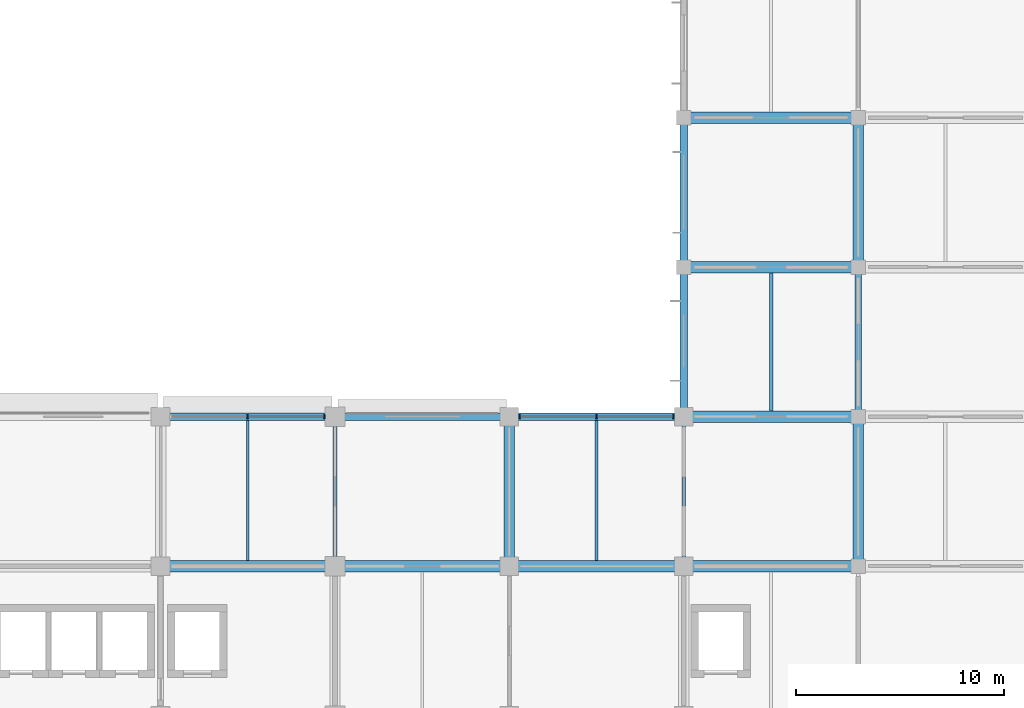
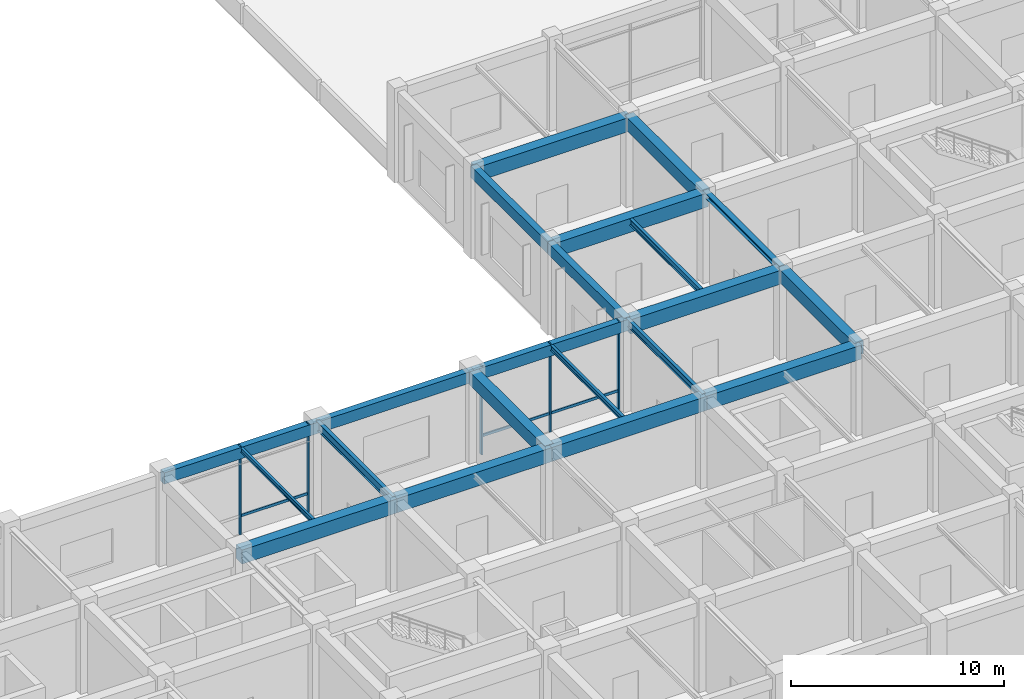
# One storey, part 11 of 41: 21 beams, 8 members, 2 elements without a shape of their own.
"""IFC4 building model written with IfcOpenShell, lengths in metres."""

from ifc_helpers import new_model, si_unit, derived_unit, direction, frame, origin, origin_2d, place, context, subcontext, project, spatial, rectangle, i_section, extrude, material, material_profile, profile_set, type_object, element, aggregate, save


model = new_model("IFC4")

# Units and contexts
model_context = context("Model", 3, precision=1e-05, world=origin(), true_north=direction((0.0, 1.0)))
body_context = subcontext(model_context, "Body", "Model", "MODEL_VIEW")
ifc_project = project(units=[si_unit("LENGTHUNIT", "METRE"), si_unit("AREAUNIT", "SQUARE_METRE"), si_unit("VOLUMEUNIT", "CUBIC_METRE"), si_unit("PLANEANGLEUNIT", "RADIAN"), si_unit("MASSUNIT", "GRAM", prefix="KILO"), derived_unit("THERMALTRANSMITTANCEUNIT", [(si_unit("MASSUNIT", "GRAM", prefix="KILO"), 1), (si_unit("TIMEUNIT", "SECOND"), -3), (si_unit("THERMODYNAMICTEMPERATUREUNIT", "KELVIN"), -1)])], contexts=[model_context])

# Site, building, storey
site_placement = place(None, origin())
site = spatial("IfcSite", under=ifc_project, at=site_placement, CompositionType="ELEMENT")
building_placement = place(site_placement, origin())
building = spatial("IfcBuilding", under=site, at=building_placement, Name="Veldstrom Oceanarium and Marine Research Institute", CompositionType="ELEMENT")
storey_placement = place(building_placement, frame((0.0, 0.0, 6.0)))
storey = spatial("IfcBuildingStorey", under=building, at=storey_placement, Name="L01", CompositionType="ELEMENT", Elevation=6.0)

# Curtain wall, members
ifc_material_1 = material(Name="Anodised Aluminium Framing", Category="aluminium")
curtain_wall_type = type_object("IfcCurtainWallType", Name="ARC-CW-CW02", PredefinedType="USERDEFINED", material=ifc_material_1)
curtain_wall_1_placement = place(storey_placement, origin())
curtain_wall_1 = element("IfcCurtainWall", 1, at=curtain_wall_1_placement, inside=storey, type_object=curtain_wall_type, Name="Curtain Wall CW02 CW-L01-011", ObjectType="Curtain wall", PredefinedType="USERDEFINED")
ifc_material_2 = material(Name="Anodised Aluminium Framing", Category="aluminium")
ifc_material_profile_1 = material_profile(ifc_material_2, rectangle(XDim=0.074951171875, YDim=0.179931640625, at=origin_2d()), Name="ALU-MUL-75x180")
ifc_profile_set_1 = profile_set([ifc_material_profile_1], Name="Anodised Aluminium Framing")
member_type_1 = type_object("IfcMemberType", Name="ARC-MUL-ML1", PredefinedType="MULLION", material=ifc_profile_set_1)
member_1_placement = place(storey_placement, frame((96.58740234375, 72.0, 0.0), z_axis=(0.0, 0.0, 1.0), x_axis=(1.0, 0.0, 0.0)))
member_1 = element("IfcMember", 2, at=member_1_placement, type_object=member_type_1, Name="Curtain Wall Mullion CW-L01-011-MUL-2", PredefinedType="MULLION", context=body_context, shape_type="SweptSolid", body=[
    extrude(rectangle(XDim=0.074951171875, YDim=0.179931640625, at=origin_2d()), origin(), (0.0, 0.0, 1.0), 5.074951171875),
])
member_2_placement = place(storey_placement, frame((100.284912109375, 72.0, 0.0), z_axis=(0.0, 0.0, 1.0), x_axis=(1.0, 0.0, 0.0)))
member_2 = element("IfcMember", 3, at=member_2_placement, type_object=member_type_1, Name="Curtain Wall Mullion CW-L01-011-MUL-3", PredefinedType="MULLION", context=body_context, shape_type="SweptSolid", body=[
    extrude(rectangle(XDim=0.074951171875, YDim=0.179931640625, at=origin_2d()), origin(), (0.0, 0.0, 1.0), 5.074951171875),
])

curtain_wall_2_placement = place(storey_placement, origin())
curtain_wall_2 = element("IfcCurtainWall", 4, at=curtain_wall_2_placement, inside=storey, type_object=curtain_wall_type, Name="Curtain Wall CW02 CW-L01-013", ObjectType="Curtain wall", PredefinedType="USERDEFINED")
member_3_placement = place(storey_placement, frame((109.68994140625, 72.0, 0.0), z_axis=(0.0, 0.0, 1.0), x_axis=(1.0, 0.0, 0.0)))
member_3 = element("IfcMember", 5, at=member_3_placement, type_object=member_type_1, Name="Curtain Wall Mullion CW-L01-013-MUL-1", PredefinedType="MULLION", context=body_context, shape_type="SweptSolid", body=[
    extrude(rectangle(XDim=0.074951171875, YDim=0.179931640625, at=origin_2d()), origin(), (0.0, 0.0, 1.0), 5.074951171875),
])
member_4_placement = place(storey_placement, frame((113.39990234375, 72.0, 0.0), z_axis=(0.0, 0.0, 1.0), x_axis=(1.0, 0.0, 0.0)))
member_4 = element("IfcMember", 6, at=member_4_placement, type_object=member_type_1, Name="Curtain Wall Mullion CW-L01-013-MUL-2", PredefinedType="MULLION", context=body_context, shape_type="SweptSolid", body=[
    extrude(rectangle(XDim=0.074951171875, YDim=0.179931640625, at=origin_2d()), origin(), (0.0, 0.0, 1.0), 5.074951171875),
])
member_5_placement = place(storey_placement, frame((117.110107421875, 72.0, 0.0), z_axis=(0.0, 0.0, 1.0), x_axis=(1.0, 0.0, 0.0)))
member_5 = element("IfcMember", 7, at=member_5_placement, type_object=member_type_1, Name="Curtain Wall Mullion CW-L01-013-MUL-3", PredefinedType="MULLION", context=body_context, shape_type="SweptSolid", body=[
    extrude(rectangle(XDim=0.074951171875, YDim=0.179931640625, at=origin_2d()), origin(), (0.0, 0.0, 1.0), 5.074951171875),
])

# Member
ifc_material_3 = material(Name="Anodised Aluminium Framing", Category="aluminium")
ifc_material_profile_2 = material_profile(ifc_material_3, rectangle(XDim=0.074951171875, YDim=0.14990234375, at=origin_2d()), Name="ALU-TRN-75x150")
ifc_profile_set_2 = profile_set([ifc_material_profile_2], Name="Anodised Aluminium Framing")
member_type_2 = type_object("IfcMemberType", Name="ARC-TRN-TR1", PredefinedType="USERDEFINED", material=ifc_profile_set_2)
member_6_placement = place(storey_placement, frame((96.62744140625, 72.0, 1.050048828125), z_axis=(1.0, 0.0, 0.0), x_axis=(0.0, 1.0, 0.0)))
member_6 = element("IfcMember", 8, at=member_6_placement, type_object=member_type_2, Name="Curtain Wall Transom CW-L01-011-TRN-2", ObjectType="Transom", PredefinedType="USERDEFINED", context=body_context, shape_type="SweptSolid", body=[
    extrude(rectangle(XDim=0.074951171875, YDim=0.14990234375, at=origin_2d()), origin(), (0.0, 0.0, 1.0), 3.61767578125),
])

aggregate(curtain_wall_1, [member_1, member_2, member_6])

member_7_placement = place(storey_placement, frame((109.72998046875, 72.0, 1.050048828125), z_axis=(1.0, 0.0, 0.0), x_axis=(0.0, 1.0, 0.0)))
member_7 = element("IfcMember", 9, at=member_7_placement, type_object=member_type_2, Name="Curtain Wall Transom CW-L01-013-TRN-1", ObjectType="Transom", PredefinedType="USERDEFINED", context=body_context, shape_type="SweptSolid", body=[
    extrude(rectangle(XDim=0.074951171875, YDim=0.14990234375, at=origin_2d()), origin(), (0.0, 0.0, 1.0), 3.630126953125),
])

member_8_placement = place(storey_placement, frame((113.43994140625, 72.0, 1.050048828125), z_axis=(1.0, 0.0, 0.0), x_axis=(0.0, 1.0, 0.0)))
member_8 = element("IfcMember", 10, at=member_8_placement, type_object=member_type_2, Name="Curtain Wall Transom CW-L01-013-TRN-2", ObjectType="Transom", PredefinedType="USERDEFINED", context=body_context, shape_type="SweptSolid", body=[
    extrude(rectangle(XDim=0.074951171875, YDim=0.14990234375, at=origin_2d()), origin(), (0.0, 0.0, 1.0), 3.630126953125),
])

aggregate(curtain_wall_2, [member_3, member_4, member_5, member_7, member_8])

# Beams
ifc_material_4 = material(Name="Concrete C40/50", Category="concrete")
ifc_material_profile_3 = material_profile(ifc_material_4, rectangle(XDim=0.550048828125, YDim=0.800048828125, at=origin_2d()), Name="RC-BM-550x800")
ifc_profile_set_3 = profile_set([ifc_material_profile_3], Name="Concrete C40/50")
beam_type_1 = type_object("IfcBeamType", Name="STR-BM-B02", PredefinedType="BEAM", material=ifc_profile_set_3)
beam_1_placement = place(storey_placement, frame((92.39990234375, 64.800048828125, 4.669921875), z_axis=(1.0, 0.0, 0.0), x_axis=(0.0, 1.0, 0.0)))
element("IfcBeam", 11, at=beam_1_placement, inside=storey, type_object=beam_type_1, Name="Primary Beam B02 L01-1225", PredefinedType="BEAM", context=body_context, shape_type="SweptSolid", body=[
    extrude(rectangle(XDim=0.550048828125, YDim=0.800048828125, at=origin_2d()), origin(), (0.0, 0.0, 1.0), 8.400146484375),
])
beam_2_placement = place(storey_placement, frame((100.800048828125, 64.800048828125, 4.669921875), z_axis=(1.0, 0.0, 0.0), x_axis=(0.0, 1.0, 0.0)))
element("IfcBeam", 12, at=beam_2_placement, inside=storey, type_object=beam_type_1, Name="Primary Beam B02 L01-1230", PredefinedType="BEAM", context=body_context, shape_type="SweptSolid", body=[
    extrude(rectangle(XDim=0.550048828125, YDim=0.800048828125, at=origin_2d()), origin(), (0.0, 0.0, 1.0), 8.39990234375),
])
beam_3_placement = place(storey_placement, frame((109.199951171875, 64.800048828125, 4.669921875), z_axis=(1.0, 0.0, 0.0), x_axis=(0.0, 1.0, 0.0)))
element("IfcBeam", 13, at=beam_3_placement, inside=storey, type_object=beam_type_1, Name="Primary Beam B02 L01-1235", PredefinedType="BEAM", context=body_context, shape_type="SweptSolid", body=[
    extrude(rectangle(XDim=0.550048828125, YDim=0.800048828125, at=origin_2d()), origin(), (0.0, 0.0, 1.0), 8.400146484375),
])
for number, where, z_axis, x_axis, name in (
    (14, (117.60009765625, 64.800048828125, 4.669921875), (1.0, 0.0, 0.0), (0.0, 1.0, 0.0), "Primary Beam B02 L01-1240"),
    (15, (117.60009765625, 72.0, 4.669921875), (1.0, 0.0, 0.0), (0.0, 1.0, 0.0), "Primary Beam B02 L01-1241"),
    (16, (117.60009765625, 79.199951171875, 4.669921875), (1.0, 0.0, 0.0), (0.0, 1.0, 0.0), "Primary Beam B02 L01-1242"),
    (17, (117.60009765625, 86.39990234375, 4.669921875), (1.0, 0.0, 0.0), (0.0, 1.0, 0.0), "Primary Beam B02 L01-1243"),
):
    element("IfcBeam", number, at=place(storey_placement, frame(where, z_axis=z_axis, x_axis=x_axis)), inside=storey, type_object=beam_type_1, Name=name, PredefinedType="BEAM", context=body_context, shape_type="SweptSolid", body=[
        extrude(rectangle(XDim=0.550048828125, YDim=0.800048828125, at=origin_2d()), origin(), (0.0, 0.0, 1.0), 8.39990234375),
    ])
ifc_material_5 = material(Name="Concrete C40/50", Category="concrete")
ifc_material_profile_4 = material_profile(ifc_material_5, rectangle(XDim=0.5, YDim=0.75, at=origin_2d()), Name="RC-BM-500x750")
ifc_profile_set_4 = profile_set([ifc_material_profile_4], Name="Concrete C40/50")
beam_type_2 = type_object("IfcBeamType", Name="STR-BM-B03", PredefinedType="BEAM", material=ifc_profile_set_4)
for number, where, z_axis, x_axis, name in (
    (18, (109.199951171875, 64.800048828125, 4.695068359375), (0.0, 1.0, 0.0), (-1.0, 0.0, 0.0), "Primary Beam B03 L01-1382"),
    (19, (126.0, 64.800048828125, 4.695068359375), (0.0, 1.0, 0.0), (-1.0, 0.0, 0.0), "Primary Beam B03 L01-1393"),
    (20, (126.0, 79.199951171875, 4.695068359375), (0.0, 1.0, 0.0), (-1.0, 0.0, 0.0), "Primary Beam B03 L01-1395"),
):
    element("IfcBeam", number, at=place(storey_placement, frame(where, z_axis=z_axis, x_axis=x_axis)), inside=storey, type_object=beam_type_2, Name=name, PredefinedType="BEAM", context=body_context, shape_type="SweptSolid", body=[
        extrude(rectangle(XDim=0.5, YDim=0.75, at=origin_2d()), origin(), (0.0, 0.0, 1.0), 7.199951171875),
    ])
ifc_material_6 = material(Name="Steel S355JR", Category="steel")
ifc_material_profile_5 = material_profile(ifc_material_6, i_section(OverallWidth=0.300048828125, OverallDepth=0.2900390625, WebThickness=0.008544921875, FlangeThickness=0.013916015625, FilletRadius=0.027099609375, at=origin_2d()), Name="HEA 300")
ifc_profile_set_5 = profile_set([ifc_material_profile_5], Name="Steel S355JR")
beam_type_3 = type_object("IfcBeamType", Name="STR-BM-SB10", PredefinedType="BEAM", material=ifc_profile_set_5)
beam_4_placement = place(storey_placement, frame((126.0, 72.0, 4.925048828125), z_axis=(0.0, 1.0, 0.0), x_axis=(-1.0, 0.0, 0.0)))
element("IfcBeam", 21, at=beam_4_placement, inside=storey, type_object=beam_type_3, Name="Steel Tie Beam SB10 L01-1394", PredefinedType="BEAM", context=body_context, shape_type="SweptSolid", body=[
    extrude(i_section(OverallWidth=0.300048828125, OverallDepth=0.2900390625, WebThickness=0.008544921875, FlangeThickness=0.013916015625, FilletRadius=0.027099609375, at=origin_2d()), origin(), (0.0, 0.0, 1.0), 7.199951171875),
])
ifc_material_7 = material(Name="Steel S355JR", Category="steel")
ifc_material_profile_6 = material_profile(ifc_material_7, i_section(OverallWidth=0.199951171875, OverallDepth=0.5, WebThickness=0.01025390625, FlangeThickness=0.01611328125, FilletRadius=0.02099609375, at=origin_2d()), Name="IPE 500")
ifc_profile_set_6 = profile_set([ifc_material_profile_6], Name="Steel S355JR")
beam_type_4 = type_object("IfcBeamType", Name="STR-BM-SB6", PredefinedType="BEAM", material=ifc_profile_set_6)
beam_5_placement = place(storey_placement, frame((100.800048828125, 64.800048828125, 4.820068359375), z_axis=(0.0, 1.0, 0.0), x_axis=(-1.0, 0.0, 0.0)))
element("IfcBeam", 22, at=beam_5_placement, inside=storey, type_object=beam_type_4, Name="Steel Tie Beam SB6 L01-1378", PredefinedType="BEAM", context=body_context, shape_type="SweptSolid", body=[
    extrude(i_section(OverallWidth=0.199951171875, OverallDepth=0.5, WebThickness=0.01025390625, FlangeThickness=0.01611328125, FilletRadius=0.02099609375, at=origin_2d()), origin(), (0.0, 0.0, 1.0), 7.199951171875),
])
ifc_material_8 = material(Name="Steel S355JR", Category="steel")
ifc_material_profile_7 = material_profile(ifc_material_8, i_section(OverallWidth=0.179931640625, OverallDepth=0.39990234375, WebThickness=0.008544921875, FlangeThickness=0.013427734375, FilletRadius=0.02099609375, at=origin_2d()), Name="IPE 400")
ifc_profile_set_7 = profile_set([ifc_material_profile_7], Name="Steel S355JR")
beam_type_5 = type_object("IfcBeamType", Name="STR-BM-SB8", PredefinedType="BEAM", material=ifc_profile_set_7)
beam_6_placement = place(storey_placement, frame((117.60009765625, 64.800048828125, 4.8701171875), z_axis=(0.0, 1.0, 0.0), x_axis=(-1.0, 0.0, 0.0)))
element("IfcBeam", 23, at=beam_6_placement, inside=storey, type_object=beam_type_5, Name="Steel Tie Beam SB8 L01-1386", PredefinedType="BEAM", context=body_context, shape_type="SweptSolid", body=[
    extrude(i_section(OverallWidth=0.179931640625, OverallDepth=0.39990234375, WebThickness=0.008544921875, FlangeThickness=0.013427734375, FilletRadius=0.02099609375, at=origin_2d()), origin(), (0.0, 0.0, 1.0), 7.199951171875),
])
ifc_material_9 = material(Name="Steel S355JR", Category="steel")
ifc_material_profile_8 = material_profile(ifc_material_9, i_section(OverallWidth=0.169921875, OverallDepth=0.360107421875, WebThickness=0.008056640625, FlangeThickness=0.0126953125, FilletRadius=0.01806640625, at=origin_2d()), Name="IPE 360")
ifc_profile_set_8 = profile_set([ifc_material_profile_8], Name="Steel S355JR")
beam_type_6 = type_object("IfcBeamType", Name="STR-JST-SJ1", PredefinedType="JOIST", material=ifc_profile_set_8)
beam_7_placement = place(storey_placement, frame((121.800048828125, 72.27490234375, 4.889892578125), z_axis=(0.0, 1.0, 0.0), x_axis=(-1.0, 0.0, 0.0)))
element("IfcBeam", 24, at=beam_7_placement, inside=storey, type_object=beam_type_6, Name="Secondary Joist SJ1 L01-1473", PredefinedType="JOIST", context=body_context, shape_type="SweptSolid", body=[
    extrude(i_section(OverallWidth=0.169921875, OverallDepth=0.360107421875, WebThickness=0.008056640625, FlangeThickness=0.0126953125, FilletRadius=0.01806640625, at=origin_2d()), origin(), (0.0, 0.0, 1.0), 6.650146484375),
])
ifc_material_10 = material(Name="Steel S355JR", Category="steel")
ifc_material_profile_9 = material_profile(ifc_material_10, i_section(OverallWidth=0.14990234375, OverallDepth=0.300048828125, WebThickness=0.007080078125, FlangeThickness=0.0107421875, FilletRadius=0.014892578125, at=origin_2d()), Name="IPE 300")
ifc_profile_set_9 = profile_set([ifc_material_profile_9], Name="Steel S355JR")
beam_type_7 = type_object("IfcBeamType", Name="STR-JST-SJ2", PredefinedType="JOIST", material=ifc_profile_set_9)
beam_8_placement = place(storey_placement, frame((113.39990234375, 65.074951171875, 4.919921875), z_axis=(0.0, 1.0, 0.0), x_axis=(-1.0, 0.0, 0.0)))
element("IfcBeam", 25, at=beam_8_placement, inside=storey, type_object=beam_type_7, Name="Secondary Joist SJ2 L01-1470", PredefinedType="JOIST", context=body_context, shape_type="SweptSolid", body=[
    extrude(i_section(OverallWidth=0.14990234375, OverallDepth=0.300048828125, WebThickness=0.007080078125, FlangeThickness=0.0107421875, FilletRadius=0.014892578125, at=origin_2d()), origin(), (0.0, 0.0, 1.0), 6.75),
])
ifc_material_11 = material(Name="Steel S355JR", Category="steel")
ifc_material_profile_10 = material_profile(ifc_material_11, i_section(OverallWidth=0.135009765625, OverallDepth=0.27001953125, WebThickness=0.006591796875, FlangeThickness=0.01025390625, FilletRadius=0.014892578125, at=origin_2d()), Name="IPE 270")
ifc_profile_set_10 = profile_set([ifc_material_profile_10], Name="Steel S355JR")
beam_type_8 = type_object("IfcBeamType", Name="STR-JST-SJ3", PredefinedType="JOIST", material=ifc_profile_set_10)
beam_9_placement = place(storey_placement, frame((96.60009765625, 65.074951171875, 4.93505859375), z_axis=(0.0, 1.0, 0.0), x_axis=(-1.0, 0.0, 0.0)))
element("IfcBeam", 26, at=beam_9_placement, inside=storey, type_object=beam_type_8, Name="Secondary Joist SJ3 L01-1466", PredefinedType="JOIST", context=body_context, shape_type="SweptSolid", body=[
    extrude(i_section(OverallWidth=0.135009765625, OverallDepth=0.27001953125, WebThickness=0.006591796875, FlangeThickness=0.01025390625, FilletRadius=0.014892578125, at=origin_2d()), origin(), (0.0, 0.0, 1.0), 6.75),
])
ifc_material_12 = material(Name="Concrete C40/50", Category="concrete")
ifc_material_profile_11 = material_profile(ifc_material_12, rectangle(XDim=0.35009765625, YDim=0.64990234375, at=origin_2d()), Name="RC-SPN-350x650")
ifc_profile_set_11 = profile_set([ifc_material_profile_11], Name="Concrete C40/50")
beam_type_9 = type_object("IfcBeamType", Name="STR-SPN-SP1", PredefinedType="SPANDREL", material=ifc_profile_set_11)
beam_10_placement = place(storey_placement, frame((92.39990234375, 72.0, 4.7451171875), z_axis=(1.0, 0.0, 0.0), x_axis=(0.0, 1.0, 0.0)))
element("IfcBeam", 27, at=beam_10_placement, inside=storey, type_object=beam_type_9, Name="Perimeter Spandrel SPB1 L01-1226", PredefinedType="SPANDREL", context=body_context, shape_type="SweptSolid", body=[
    extrude(rectangle(XDim=0.35009765625, YDim=0.64990234375, at=origin_2d()), origin(), (0.0, 0.0, 1.0), 8.400146484375),
])
beam_11_placement = place(storey_placement, frame((100.800048828125, 72.0, 4.7451171875), z_axis=(1.0, 0.0, 0.0), x_axis=(0.0, 1.0, 0.0)))
element("IfcBeam", 28, at=beam_11_placement, inside=storey, type_object=beam_type_9, Name="Perimeter Spandrel SPB1 L01-1231", PredefinedType="SPANDREL", context=body_context, shape_type="SweptSolid", body=[
    extrude(rectangle(XDim=0.35009765625, YDim=0.64990234375, at=origin_2d()), origin(), (0.0, 0.0, 1.0), 8.39990234375),
])
beam_12_placement = place(storey_placement, frame((109.199951171875, 72.0, 4.7451171875), z_axis=(1.0, 0.0, 0.0), x_axis=(0.0, 1.0, 0.0)))
element("IfcBeam", 29, at=beam_12_placement, inside=storey, type_object=beam_type_9, Name="Perimeter Spandrel SPB1 L01-1236", PredefinedType="SPANDREL", context=body_context, shape_type="SweptSolid", body=[
    extrude(rectangle(XDim=0.35009765625, YDim=0.64990234375, at=origin_2d()), origin(), (0.0, 0.0, 1.0), 8.400146484375),
])
for number, where, z_axis, x_axis, name in (
    (30, (117.60009765625, 72.0, 4.7451171875), (0.0, 1.0, 0.0), (-1.0, 0.0, 0.0), "Perimeter Spandrel SPB1 L01-1387"),
    (31, (117.60009765625, 79.199951171875, 4.7451171875), (0.0, 1.0, 0.0), (-1.0, 0.0, 0.0), "Perimeter Spandrel SPB1 L01-1388"),
):
    element("IfcBeam", number, at=place(storey_placement, frame(where, z_axis=z_axis, x_axis=x_axis)), inside=storey, type_object=beam_type_9, Name=name, PredefinedType="SPANDREL", context=body_context, shape_type="SweptSolid", body=[
        extrude(rectangle(XDim=0.35009765625, YDim=0.64990234375, at=origin_2d()), origin(), (0.0, 0.0, 1.0), 7.199951171875),
    ])

save(model, "model.ifc")
